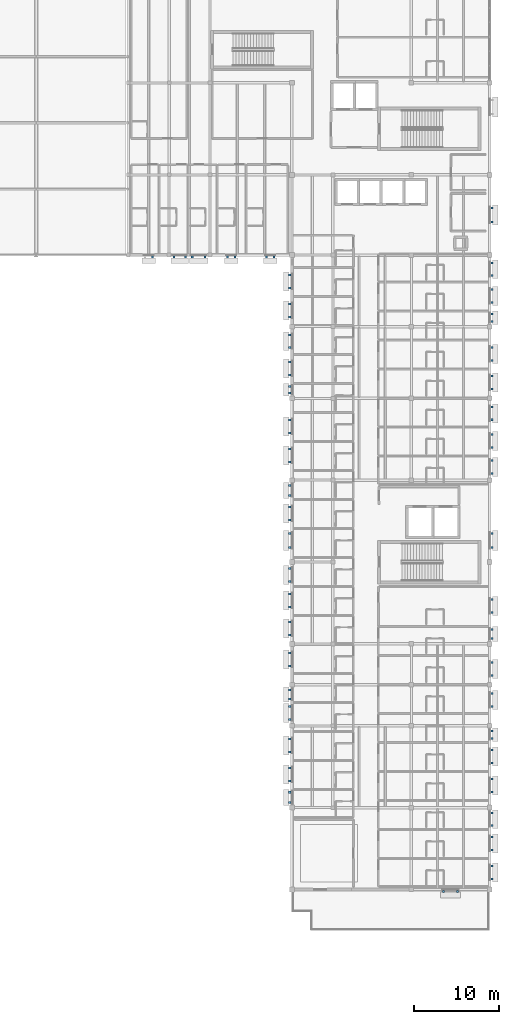
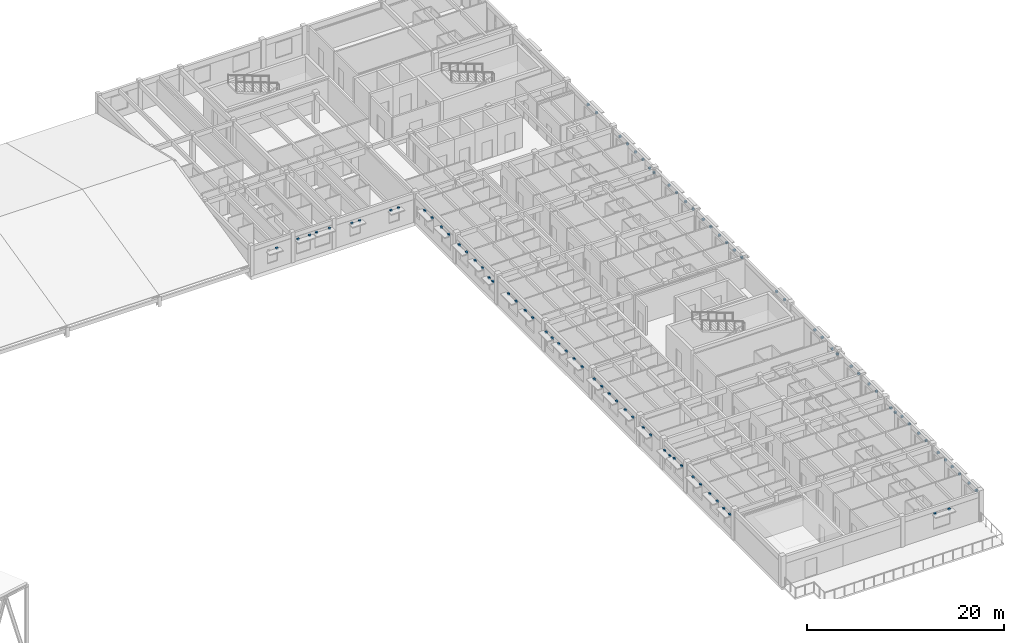
# One storey, part 35 of 40: 89 discrete accessories.
"""IFC4 building model written with IfcOpenShell, lengths in metres."""

from ifc_helpers import new_model, si_unit, direction, frame, origin, origin_2d, place, context, subcontext, project, spatial, rectangle, extrude, material, type_object, element, save


model = new_model("IFC4")

# Units and contexts
model_context = context("Model", 3, precision=1e-05, world=origin(), true_north=direction((0.0, 1.0)))
body_context = subcontext(model_context, "Body", "Model", "MODEL_VIEW")
ifc_project = project(units=[si_unit("LENGTHUNIT", "METRE"), si_unit("AREAUNIT", "SQUARE_METRE"), si_unit("VOLUMEUNIT", "CUBIC_METRE"), si_unit("PLANEANGLEUNIT", "RADIAN"), si_unit("MASSUNIT", "GRAM", prefix="KILO")], contexts=[model_context])

# Site, building, storey
site_placement = place(None, origin())
site = spatial("IfcSite", under=ifc_project, at=site_placement, CompositionType="ELEMENT")
building_placement = place(site_placement, origin())
building = spatial("IfcBuilding", under=site, at=building_placement, Name="Veldera Park Congress Hotel", CompositionType="ELEMENT")
storey_placement = place(building_placement, frame((0.0, 0.0, 16.199951171875)))
storey = spatial("IfcBuildingStorey", under=building, at=storey_placement, Name="L03", CompositionType="ELEMENT", Elevation=16.199951171875)

# Discrete accessories
ifc_material = material(Name="Steel ASTM A992 Gr.50", Category="steel")
discrete_accessory_type = type_object("IfcDiscreteAccessoryType", Name="ACC-BRK160", PredefinedType="BRACKET", material=ifc_material)
for number, where, z_axis, x_axis, name in (
    (1, (78.56494140625, -47.64990234375, 2.68505859375), (0.0, 0.0, 1.0), (1.0, 0.0, 0.0), "Shading Steel Outrigger Bracket 134L"),
    (2, (80.215087890625, -47.64990234375, 2.68505859375), (0.0, 0.0, 1.0), (1.0, 0.0, 0.0), "Shading Steel Outrigger Bracket 134R"),
    (3, (84.25, -7.285888671875, 2.72021484375), (0.0, 0.0, 1.0), (0.0, 1.0, 0.0), "Shading Steel Outrigger Bracket 135L"),
    (4, (84.25, -5.635986328125, 2.72021484375), (0.0, 0.0, 1.0), (0.0, 1.0, 0.0), "Shading Steel Outrigger Bracket 135R"),
    (5, (84.25, 30.875, 2.72021484375), (0.0, 0.0, 1.0), (0.0, 1.0, 0.0), "Shading Steel Outrigger Bracket 136L"),
    (6, (84.25, 32.52490234375, 2.72021484375), (0.0, 0.0, 1.0), (0.0, 1.0, 0.0), "Shading Steel Outrigger Bracket 136R"),
    (7, (44.449951171875, 26.75, 2.3701171875), (0.0, 0.0, 1.0), (1.0, 0.0, 0.0), "Shading Steel Outrigger Bracket 138R"),
    (8, (53.247802734375, 26.75, 2.3701171875), (0.0, 0.0, 1.0), (1.0, 0.0, 0.0), "Shading Steel Outrigger Bracket 139L"),
    (9, (54.147705078125, 26.75, 2.3701171875), (0.0, 0.0, 1.0), (1.0, 0.0, 0.0), "Shading Steel Outrigger Bracket 139R"),
    (10, (57.797119140625, 26.75, 2.3701171875), (0.0, 0.0, 1.0), (1.0, 0.0, 0.0), "Shading Steel Outrigger Bracket 140L"),
    (11, (58.697265625, 26.75, 2.3701171875), (0.0, 0.0, 1.0), (1.0, 0.0, 0.0), "Shading Steel Outrigger Bracket 140R"),
    (12, (60.550048828125, -5.635986328125, 2.68505859375), (0.0, 0.0, 1.0), (0.0, -1.0, 0.0), "Shading Steel Outrigger Bracket 141L"),
    (13, (60.550048828125, -7.285888671875, 2.68505859375), (0.0, 0.0, 1.0), (0.0, -1.0, 0.0), "Shading Steel Outrigger Bracket 141R"),
    (14, (60.550048828125, -35.99609375, 2.56982421875), (0.0, 0.0, 1.0), (0.0, -1.0, 0.0), "Shading Steel Outrigger Bracket 320L"),
    (15, (60.550048828125, -37.196044921875, 2.56982421875), (0.0, 0.0, 1.0), (0.0, -1.0, 0.0), "Shading Steel Outrigger Bracket 320R"),
    (16, (60.550048828125, -33.159912109375, 2.669921875), (0.0, 0.0, 1.0), (0.0, -1.0, 0.0), "Shading Steel Outrigger Bracket 321L"),
    (17, (60.550048828125, -34.659912109375, 2.669921875), (0.0, 0.0, 1.0), (0.0, -1.0, 0.0), "Shading Steel Outrigger Bracket 321R"),
    (18, (60.550048828125, -29.760009765625, 2.669921875), (0.0, 0.0, 1.0), (0.0, -1.0, 0.0), "Shading Steel Outrigger Bracket 322L"),
    (19, (60.550048828125, -31.260009765625, 2.669921875), (0.0, 0.0, 1.0), (0.0, -1.0, 0.0), "Shading Steel Outrigger Bracket 322R"),
    (20, (60.550048828125, -25.946044921875, 2.669921875), (0.0, 0.0, 1.0), (0.0, -1.0, 0.0), "Shading Steel Outrigger Bracket 323L"),
    (21, (60.550048828125, -27.446044921875, 2.669921875), (0.0, 0.0, 1.0), (0.0, -1.0, 0.0), "Shading Steel Outrigger Bracket 323R"),
    (22, (60.550048828125, -23.989013671875, 2.47021484375), (0.0, 0.0, 1.0), (0.0, -1.0, 0.0), "Shading Steel Outrigger Bracket 324L"),
    (23, (60.550048828125, -25.0390625, 2.47021484375), (0.0, 0.0, 1.0), (0.0, -1.0, 0.0), "Shading Steel Outrigger Bracket 324R"),
    (24, (60.550048828125, -19.6640625, 2.669921875), (0.0, 0.0, 1.0), (0.0, -1.0, 0.0), "Shading Steel Outrigger Bracket 325L"),
    (25, (60.550048828125, -21.1640625, 2.669921875), (0.0, 0.0, 1.0), (0.0, -1.0, 0.0), "Shading Steel Outrigger Bracket 325R"),
    (26, (60.550048828125, -16.0458984375, 2.669921875), (0.0, 0.0, 1.0), (0.0, -1.0, 0.0), "Shading Steel Outrigger Bracket 326L"),
    (27, (60.550048828125, -17.5458984375, 2.669921875), (0.0, 0.0, 1.0), (0.0, -1.0, 0.0), "Shading Steel Outrigger Bracket 326R"),
    (28, (60.550048828125, -12.760009765625, 2.669921875), (0.0, 0.0, 1.0), (0.0, -1.0, 0.0), "Shading Steel Outrigger Bracket 327L"),
    (29, (60.550048828125, -14.260009765625, 2.669921875), (0.0, 0.0, 1.0), (0.0, -1.0, 0.0), "Shading Steel Outrigger Bracket 327R"),
    (30, (60.550048828125, -9.763916015625, 2.669921875), (0.0, 0.0, 1.0), (0.0, -1.0, 0.0), "Shading Steel Outrigger Bracket 328L"),
    (31, (60.550048828125, -11.263916015625, 2.669921875), (0.0, 0.0, 1.0), (0.0, -1.0, 0.0), "Shading Steel Outrigger Bracket 328R"),
    (32, (60.550048828125, -2.56005859375, 2.669921875), (0.0, 0.0, 1.0), (0.0, -1.0, 0.0), "Shading Steel Outrigger Bracket 329L"),
    (33, (60.550048828125, -4.06005859375, 2.669921875), (0.0, 0.0, 1.0), (0.0, -1.0, 0.0), "Shading Steel Outrigger Bracket 329R"),
    (34, (60.550048828125, -0.013916015625, 2.56982421875), (0.0, 0.0, 1.0), (0.0, -1.0, 0.0), "Shading Steel Outrigger Bracket 330L"),
    (35, (60.550048828125, -1.214111328125, 2.56982421875), (0.0, 0.0, 1.0), (0.0, -1.0, 0.0), "Shading Steel Outrigger Bracket 330R"),
    (36, (60.550048828125, 4.239990234375, 2.669921875), (0.0, 0.0, 1.0), (0.0, -1.0, 0.0), "Shading Steel Outrigger Bracket 331L"),
    (37, (60.550048828125, 2.739990234375, 2.669921875), (0.0, 0.0, 1.0), (0.0, -1.0, 0.0), "Shading Steel Outrigger Bracket 331R"),
    (38, (60.550048828125, 7.639892578125, 2.669921875), (0.0, 0.0, 1.0), (0.0, -1.0, 0.0), "Shading Steel Outrigger Bracket 332L"),
    (39, (60.550048828125, 6.139892578125, 2.669921875), (0.0, 0.0, 1.0), (0.0, -1.0, 0.0), "Shading Steel Outrigger Bracket 332R"),
    (40, (60.550048828125, 11.5791015625, 2.27001953125), (0.0, 0.0, 1.0), (0.0, -1.0, 0.0), "Shading Steel Outrigger Bracket 333L"),
    (41, (60.550048828125, 10.8291015625, 2.27001953125), (0.0, 0.0, 1.0), (0.0, -1.0, 0.0), "Shading Steel Outrigger Bracket 333R"),
    (42, (60.550048828125, 14.43994140625, 2.669921875), (0.0, 0.0, 1.0), (0.0, -1.0, 0.0), "Shading Steel Outrigger Bracket 334L"),
    (43, (60.550048828125, 12.93994140625, 2.669921875), (0.0, 0.0, 1.0), (0.0, -1.0, 0.0), "Shading Steel Outrigger Bracket 334R"),
    (44, (60.550048828125, 17.635986328125, 2.669921875), (0.0, 0.0, 1.0), (0.0, -1.0, 0.0), "Shading Steel Outrigger Bracket 335L"),
    (45, (60.550048828125, 16.135986328125, 2.669921875), (0.0, 0.0, 1.0), (0.0, -1.0, 0.0), "Shading Steel Outrigger Bracket 335R"),
    (46, (60.550048828125, 21.25390625, 2.669921875), (0.0, 0.0, 1.0), (0.0, -1.0, 0.0), "Shading Steel Outrigger Bracket 336L"),
    (47, (60.550048828125, 19.75390625, 2.669921875), (0.0, 0.0, 1.0), (0.0, -1.0, 0.0), "Shading Steel Outrigger Bracket 336R"),
    (48, (60.550048828125, 24.639892578125, 2.669921875), (0.0, 0.0, 1.0), (0.0, -1.0, 0.0), "Shading Steel Outrigger Bracket 337L"),
    (49, (60.550048828125, 23.139892578125, 2.669921875), (0.0, 0.0, 1.0), (0.0, -1.0, 0.0), "Shading Steel Outrigger Bracket 337R"),
    (50, (84.25, -46.159912109375, 2.669921875), (0.0, 0.0, 1.0), (0.0, 1.0, 0.0), "Shading Steel Outrigger Bracket 338L"),
    (51, (84.25, -44.659912109375, 2.669921875), (0.0, 0.0, 1.0), (0.0, 1.0, 0.0), "Shading Steel Outrigger Bracket 338R"),
    (52, (84.25, -42.760009765625, 2.669921875), (0.0, 0.0, 1.0), (0.0, 1.0, 0.0), "Shading Steel Outrigger Bracket 339L"),
    (53, (84.25, -41.260009765625, 2.669921875), (0.0, 0.0, 1.0), (0.0, 1.0, 0.0), "Shading Steel Outrigger Bracket 339R"),
    (54, (84.25, -39.9140625, 2.669921875), (0.0, 0.0, 1.0), (0.0, 1.0, 0.0), "Shading Steel Outrigger Bracket 340L"),
    (55, (84.25, -38.4140625, 2.669921875), (0.0, 0.0, 1.0), (0.0, 1.0, 0.0), "Shading Steel Outrigger Bracket 340R"),
    (56, (84.25, -35.9599609375, 2.669921875), (0.0, 0.0, 1.0), (0.0, 1.0, 0.0), "Shading Steel Outrigger Bracket 341L"),
    (57, (84.25, -34.4599609375, 2.669921875), (0.0, 0.0, 1.0), (0.0, 1.0, 0.0), "Shading Steel Outrigger Bracket 341R"),
    (58, (84.25, -32.56005859375, 2.669921875), (0.0, 0.0, 1.0), (0.0, 1.0, 0.0), "Shading Steel Outrigger Bracket 342L"),
    (59, (84.25, -31.06005859375, 2.669921875), (0.0, 0.0, 1.0), (0.0, 1.0, 0.0), "Shading Steel Outrigger Bracket 342R"),
    (60, (84.25, -29.714111328125, 2.3701171875), (0.0, 0.0, 1.0), (0.0, 1.0, 0.0), "Shading Steel Outrigger Bracket 343L"),
    (61, (84.25, -28.81396484375, 2.3701171875), (0.0, 0.0, 1.0), (0.0, 1.0, 0.0), "Shading Steel Outrigger Bracket 343R"),
    (62, (84.25, -25.9140625, 2.669921875), (0.0, 0.0, 1.0), (0.0, 1.0, 0.0), "Shading Steel Outrigger Bracket 344L"),
    (63, (84.25, -24.4140625, 2.669921875), (0.0, 0.0, 1.0), (0.0, 1.0, 0.0), "Shading Steel Outrigger Bracket 344R"),
    (64, (84.25, -22.2958984375, 2.669921875), (0.0, 0.0, 1.0), (0.0, 1.0, 0.0), "Shading Steel Outrigger Bracket 345L"),
    (65, (84.25, -20.7958984375, 2.669921875), (0.0, 0.0, 1.0), (0.0, 1.0, 0.0), "Shading Steel Outrigger Bracket 345R"),
    (66, (84.25, -17.970947265625, 2.47021484375), (0.0, 0.0, 1.0), (0.0, 1.0, 0.0), "Shading Steel Outrigger Bracket 346L"),
    (67, (84.25, -16.9208984375, 2.47021484375), (0.0, 0.0, 1.0), (0.0, 1.0, 0.0), "Shading Steel Outrigger Bracket 346R"),
    (68, (84.25, -14.909912109375, 2.669921875), (0.0, 0.0, 1.0), (0.0, 1.0, 0.0), "Shading Steel Outrigger Bracket 347L"),
    (69, (84.25, -13.409912109375, 2.669921875), (0.0, 0.0, 1.0), (0.0, 1.0, 0.0), "Shading Steel Outrigger Bracket 347R"),
    (70, (84.25, 1.404052734375, 2.669921875), (0.0, 0.0, 1.0), (0.0, 1.0, 0.0), "Shading Steel Outrigger Bracket 348L"),
    (71, (84.25, 2.904052734375, 2.669921875), (0.0, 0.0, 1.0), (0.0, 1.0, 0.0), "Shading Steel Outrigger Bracket 348R"),
    (72, (84.25, 4.43994140625, 2.669921875), (0.0, 0.0, 1.0), (0.0, 1.0, 0.0), "Shading Steel Outrigger Bracket 349L"),
    (73, (84.25, 5.93994140625, 2.669921875), (0.0, 0.0, 1.0), (0.0, 1.0, 0.0), "Shading Steel Outrigger Bracket 349R"),
    (74, (84.25, 7.68603515625, 2.669921875), (0.0, 0.0, 1.0), (0.0, 1.0, 0.0), "Shading Steel Outrigger Bracket 350L"),
    (75, (84.25, 9.18603515625, 2.669921875), (0.0, 0.0, 1.0), (0.0, 1.0, 0.0), "Shading Steel Outrigger Bracket 350R"),
    (76, (84.25, 11.303955078125, 2.669921875), (0.0, 0.0, 1.0), (0.0, 1.0, 0.0), "Shading Steel Outrigger Bracket 351L"),
    (77, (84.25, 12.803955078125, 2.669921875), (0.0, 0.0, 1.0), (0.0, 1.0, 0.0), "Shading Steel Outrigger Bracket 351R"),
    (78, (84.25, 14.639892578125, 2.669921875), (0.0, 0.0, 1.0), (0.0, 1.0, 0.0), "Shading Steel Outrigger Bracket 352L"),
    (79, (84.25, 16.139892578125, 2.669921875), (0.0, 0.0, 1.0), (0.0, 1.0, 0.0), "Shading Steel Outrigger Bracket 352R"),
    (80, (84.25, 19.2041015625, 2.3701171875), (0.0, 0.0, 1.0), (0.0, 1.0, 0.0), "Shading Steel Outrigger Bracket 353L"),
    (81, (84.25, 20.10400390625, 2.3701171875), (0.0, 0.0, 1.0), (0.0, 1.0, 0.0), "Shading Steel Outrigger Bracket 353R"),
    (82, (84.25, 21.43994140625, 2.669921875), (0.0, 0.0, 1.0), (0.0, 1.0, 0.0), "Shading Steel Outrigger Bracket 354L"),
    (83, (84.25, 22.93994140625, 2.669921875), (0.0, 0.0, 1.0), (0.0, 1.0, 0.0), "Shading Steel Outrigger Bracket 354R"),
    (84, (84.25, 24.5859375, 2.669921875), (0.0, 0.0, 1.0), (0.0, 1.0, 0.0), "Shading Steel Outrigger Bracket 355L"),
    (85, (84.25, 26.0859375, 2.669921875), (0.0, 0.0, 1.0), (0.0, 1.0, 0.0), "Shading Steel Outrigger Bracket 355R"),
    (86, (46.951416015625, 26.75, 2.6201171875), (0.0, 0.0, 1.0), (1.0, 0.0, 0.0), "Shading Steel Outrigger Bracket 356L"),
    (87, (48.301513671875, 26.75, 2.6201171875), (0.0, 0.0, 1.0), (1.0, 0.0, 0.0), "Shading Steel Outrigger Bracket 356R"),
    (88, (49.113525390625, 26.75, 2.669921875), (0.0, 0.0, 1.0), (1.0, 0.0, 0.0), "Shading Steel Outrigger Bracket 357L"),
    (89, (50.613525390625, 26.75, 2.669921875), (0.0, 0.0, 1.0), (1.0, 0.0, 0.0), "Shading Steel Outrigger Bracket 357R"),
):
    element("IfcDiscreteAccessory", number, at=place(storey_placement, frame(where, z_axis=z_axis, x_axis=x_axis)), inside=storey, type_object=discrete_accessory_type, Name=name, PredefinedType="BRACKET", context=body_context, shape_type="SweptSolid", body=[
        extrude(rectangle(XDim=0.239990234375, YDim=0.239990234375, at=origin_2d()), origin(), (0.0, 0.0, 1.0), 0.219970703125),
    ])

save(model, "model.ifc")
